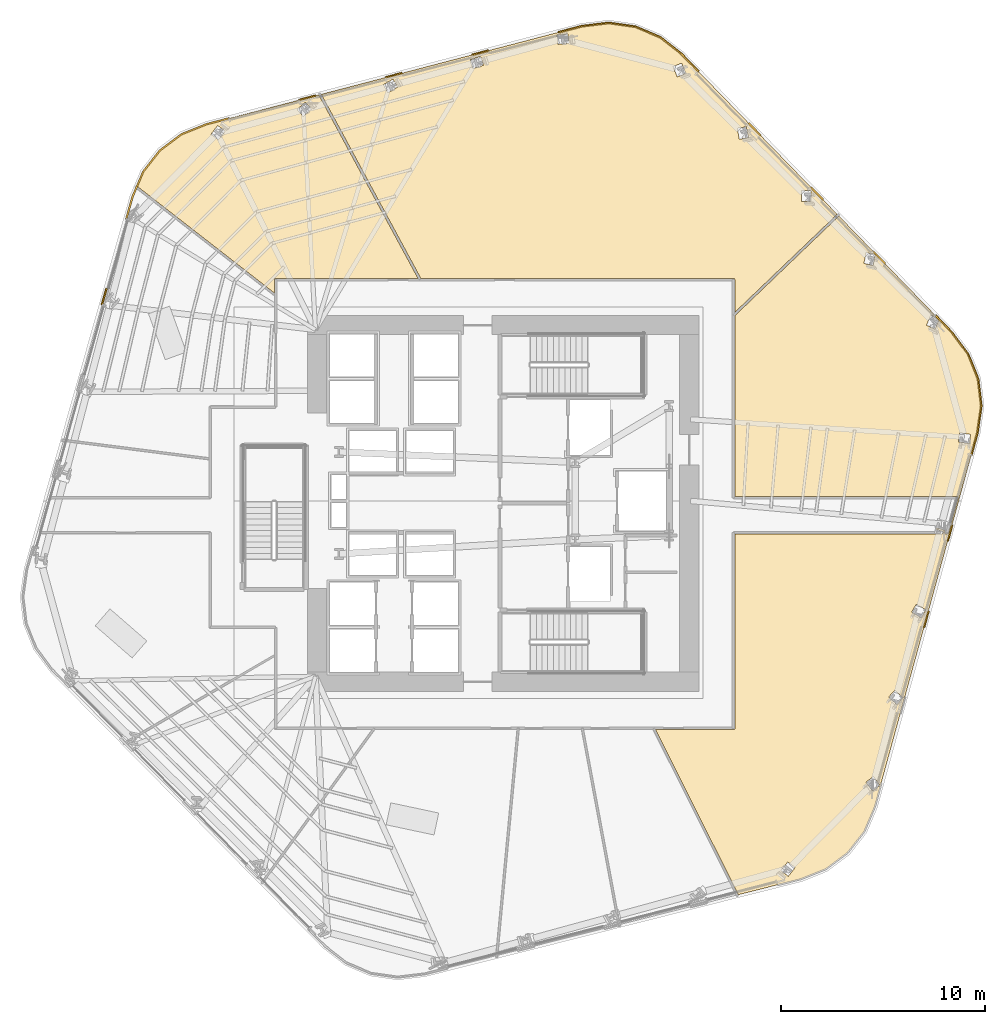
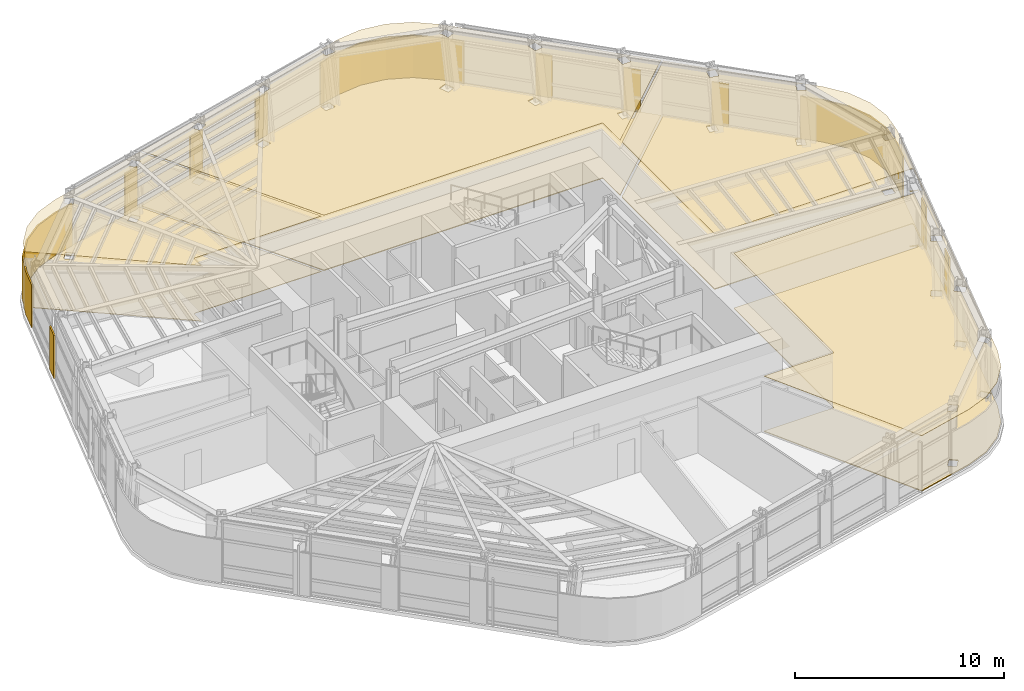
# One storey, part 16 of 17: 18 coverings.
"""IFC4 building model written with IfcOpenShell, lengths in metres."""

from ifc_helpers import new_model, si_unit, direction, frame, origin, place, context, subcontext, project, spatial, polyline, outline, extrude, material, layer, layer_set, type_object, element, save


model = new_model("IFC4")

# Units and contexts
model_context = context("Model", 3, precision=1e-05, world=origin(), true_north=direction((0.0, 1.0)))
body_context = subcontext(model_context, "Body", "Model", "MODEL_VIEW")
ifc_project = project(units=[si_unit("LENGTHUNIT", "METRE"), si_unit("AREAUNIT", "SQUARE_METRE"), si_unit("VOLUMEUNIT", "CUBIC_METRE"), si_unit("PLANEANGLEUNIT", "RADIAN"), si_unit("MASSUNIT", "GRAM", prefix="KILO")], contexts=[model_context])

# Site, building, storey
site_placement = place(None, origin())
site = spatial("IfcSite", under=ifc_project, at=site_placement, CompositionType="ELEMENT")
building_placement = place(site_placement, origin())
building = spatial("IfcBuilding", under=site, at=building_placement, Name="Valkerne Bourse Tower", CompositionType="ELEMENT")
storey_placement = place(building_placement, frame((0.0, 0.0, 85.800048828125)))
storey = spatial("IfcBuildingStorey", under=building, at=storey_placement, Name="L21", CompositionType="ELEMENT", Elevation=85.800048828125)

# Coverings
ifc_material_1 = material(Name="Mineral Fiber Acoustic Ceiling Tile", Category="acoustic")
ifc_layer_1 = layer(ifc_material_1, 0.02490234375)
ifc_layer_set_1 = layer_set([ifc_layer_1], Name="Mineral Fiber Acoustic Ceiling Tile")
covering_type_1 = type_object("IfcCoveringType", Name="COV-CEIL-ACT", PredefinedType="CEILING", material=ifc_layer_set_1)
covering_1_placement = place(storey_placement, frame((0.0, 0.0, 3.22998046875)))
element("IfcCovering", 1, at=covering_1_placement, inside=storey, type_object=covering_type_1, Name="L21 Suspended Ceiling 06", PredefinedType="CEILING", context=body_context, shape_type="SweptSolid", body=[
    extrude(outline(polyline([(31.028076171875, 44.9755859375), (32.261474609375, 45.471435546875), (37.768798828125, 46.910400390625), (42.6298828125, 37.9189453125), (35.639892578125, 37.91845703125), (35.59912109375, 37.89697265625), (35.5810546875, 37.8544921875), (35.5810546875, 37.2001953125), (28.8544921875, 42.431640625), (29.15869140625, 43.14501953125), (29.972900390625, 44.183349609375), (31.028076171875, 44.9755859375)]), holes=[polyline([(33.1650390625, 45.131591796875), (32.811767578125, 45.41015625), (32.80908203125, 45.408203125), (32.477783203125, 44.98583984375), (32.831298828125, 44.70751953125), (32.833984375, 44.70947265625), (33.1650390625, 45.131591796875)]), polyline([(36.998046875, 45.8603515625), (37.403076171875, 46.212890625), (37.1083984375, 46.552734375), (37.10546875, 46.55126953125), (36.700439453125, 46.19873046875), (36.995361328125, 45.85888671875), (36.998046875, 45.8603515625)])]), origin(), (0.0, 0.0, 1.0), 0.02490234375),
])
covering_2_placement = place(storey_placement, frame((0.0, 0.0, 3.22998046875)))
element("IfcCovering", 2, at=covering_2_placement, inside=storey, type_object=covering_type_1, Name="L21 Suspended Ceiling 10", PredefinedType="CEILING", context=body_context, shape_type="SweptSolid", body=[
    extrude(outline(polyline([(53.292724609375, 50.254150390625), (54.506591796875, 49.736572265625), (55.552001953125, 48.91650390625), (63.1875, 41.05322265625), (58.1689453125, 36.24658203125), (58.1689453125, 37.853515625), (58.151611328125, 37.89599609375), (58.110107421875, 37.91845703125), (42.763916015625, 37.9189453125), (37.88623046875, 46.941162109375), (50.667236328125, 50.280517578125), (51.986328125, 50.440185546875), (53.292724609375, 50.254150390625)]), holes=[polyline([(41.627197265625, 47.2880859375), (41.40771484375, 47.680908203125), (41.40478515625, 47.679931640625), (40.9365234375, 47.417236328125), (41.156005859375, 47.0244140625), (41.158935546875, 47.025146484375), (41.627197265625, 47.2880859375)]), polyline([(45.837158203125, 48.365966796875), (45.702392578125, 48.795166015625), (45.69921875, 48.794921875), (45.187255859375, 48.633056640625), (45.322021484375, 48.203857421875), (45.3251953125, 48.2041015625), (45.837158203125, 48.365966796875)]), polyline([(49.984619140625, 49.901123046875), (49.981201171875, 49.901611328125), (49.4482421875, 49.838623046875), (49.500244140625, 49.3916015625), (49.50341796875, 49.391357421875), (50.036376953125, 49.4541015625), (49.984619140625, 49.901123046875)]), polyline([(61.896484375, 42.220458984375), (61.894287109375, 42.222412109375), (61.4453125, 42.2275390625), (61.437255859375, 41.689697265625), (61.439453125, 41.6875), (61.888427734375, 41.6826171875), (61.896484375, 42.220458984375)]), polyline([(58.7294921875, 45.3515625), (58.726806640625, 45.353271484375), (58.2861328125, 45.266845703125), (58.3876953125, 44.738525390625), (58.390380859375, 44.73681640625), (58.830810546875, 44.8232421875), (58.7294921875, 45.3515625)]), polyline([(55.75927734375, 47.968505859375), (55.560546875, 48.46826171875), (55.557373046875, 48.469482421875), (55.14111328125, 48.3017578125), (55.33984375, 47.802001953125), (55.343017578125, 47.80078125), (55.75927734375, 47.968505859375)])]), origin(), (0.0, 0.0, 1.0), 0.02490234375),
])
covering_3_placement = place(storey_placement, frame((0.0, 0.0, 3.22998046875)))
element("IfcCovering", 3, at=covering_3_placement, inside=storey, type_object=covering_type_1, Name="L21 Suspended Ceiling 11", PredefinedType="CEILING", context=body_context, shape_type="SweptSolid", body=[
    extrude(outline(polyline([(62.63720703125, 8.957763671875), (61.404296875, 8.462158203125), (58.33642578125, 7.688232421875), (54.283935546875, 15.781005859375), (58.1005859375, 15.781005859375), (58.140869140625, 15.794189453125), (58.1650390625, 15.826416015625), (58.1689453125, 25.381103515625), (68.35546875, 25.385009765625), (68.386962890625, 25.40869140625), (68.400146484375, 25.441162109375), (68.393798828125, 25.47998046875), (68.37109375, 25.506591796875), (68.03271484375, 25.60498046875), (68.055419921875, 25.68701171875), (68.484619140625, 25.539794921875), (68.464599609375, 25.468017578125), (68.463134765625, 25.43798828125), (68.484619140625, 25.398681640625), (68.52685546875, 25.381103515625), (68.60205078125, 25.38525390625), (68.62939453125, 25.404052734375), (68.64306640625, 25.427490234375), (69.112060546875, 27.135009765625), (69.10400390625, 27.18603515625), (69.06103515625, 27.21728515625), (58.1689453125, 27.218994140625), (58.1689453125, 36.083251953125), (63.26953125, 40.968505859375), (68.129638671875, 35.96337890625), (67.78369140625, 36.11181640625), (67.569580078125, 35.618408203125), (67.57080078125, 35.615478515625), (67.9833984375, 35.4384765625), (68.18603515625, 35.9052734375), (68.80419921875, 35.2685546875), (69.6025390625, 34.205322265625), (70.0947265625, 32.981201171875), (70.25341796875, 31.6708984375), (70.06591796875, 30.35498046875), (65.02783203125, 12.010498046875), (64.506591796875, 10.788330078125), (63.6923828125, 9.75), (62.63720703125, 8.957763671875)]), holes=[polyline([(60.790771484375, 8.591796875), (61.1220703125, 9.01416015625), (60.768798828125, 9.29248046875), (60.76611328125, 9.29052734375), (60.434814453125, 8.868408203125), (60.7880859375, 8.58984375), (60.790771484375, 8.591796875)]), polyline([(65.283203125, 13.0478515625), (64.960693359375, 13.4794921875), (64.601318359375, 13.212158203125), (64.59912109375, 13.20947265625), (64.92138671875, 12.77783203125), (65.28125, 13.045166015625), (65.283203125, 13.0478515625)]), polyline([(66.4140625, 17.350341796875), (66.0166015625, 17.7138671875), (65.71337890625, 17.383544921875), (65.7119140625, 17.380615234375), (66.109619140625, 17.01708984375), (66.41259765625, 17.347412109375), (66.4140625, 17.350341796875)]), polyline([(67.53173828125, 21.658935546875), (67.068603515625, 21.93408203125), (66.8388671875, 21.548828125), (66.838134765625, 21.5458984375), (67.30126953125, 21.27099609375), (67.531005859375, 21.656005859375), (67.53173828125, 21.658935546875)]), polyline([(69.7275390625, 30.25830078125), (69.727294921875, 30.26171875), (69.19384765625, 30.337646484375), (69.129638671875, 29.89404296875), (69.130126953125, 29.890869140625), (69.663330078125, 29.81494140625), (69.7275390625, 30.25830078125)]), polyline([(65.05419921875, 39.078125), (65.052490234375, 39.080810546875), (64.61376953125, 39.177001953125), (64.496337890625, 38.652099609375), (64.498046875, 38.6494140625), (64.936767578125, 38.55322265625), (65.05419921875, 39.078125)])]), origin(), (0.0, 0.0, 1.0), 0.02490234375),
])
ifc_material_2 = material(Name="Bronze Anodised Aluminium AA 6063-T6", Category="aluminium")
ifc_layer_2 = layer(ifc_material_2, 0.06005859375)
ifc_layer_set_2 = layer_set([ifc_layer_2], Name="Bronze Anodised Aluminium AA 6063-T6")
covering_type_2 = type_object("IfcCoveringType", Name="COV-CRN-ALUM", PredefinedType="CLADDING", material=ifc_layer_set_2)
covering_4_placement = place(storey_placement, origin())
element("IfcCovering", 4, at=covering_4_placement, inside=storey, type_object=covering_type_2, Name="L21 Wind-Shaped Corner Aluminium Cladding 12", PredefinedType="CLADDING", context=body_context, shape_type="SweptSolid", body=[
    extrude(outline(polyline([(27.315673828125, 37.4267578125), (27.392578125, 37.4052734375), (27.163330078125, 36.59716796875), (27.08642578125, 36.61865234375), (27.315673828125, 37.4267578125)])), origin(), (0.0, 0.0, 1.0), 2.5),
])
covering_5_placement = place(storey_placement, origin())
element("IfcCovering", 5, at=covering_5_placement, inside=storey, type_object=covering_type_2, Name="L21 Wind-Shaped Corner Aluminium Cladding 13", PredefinedType="CLADDING", context=body_context, shape_type="SweptSolid", body=[
    extrude(outline(polyline([(28.595703125, 41.936767578125), (29.120361328125, 43.16748046875), (29.94189453125, 44.215087890625), (31.00634765625, 45.01416015625), (32.247802734375, 45.51318359375), (33.355712890625, 45.802734375), (33.37548828125, 45.72509765625), (32.272705078125, 45.43701171875), (31.0458984375, 44.94384765625), (29.998291015625, 44.157470703125), (29.18994140625, 43.12646484375), (28.671142578125, 41.91015625), (28.360107421875, 40.813720703125), (28.282958984375, 40.835205078125), (28.595703125, 41.936767578125)])), origin(), (0.0, 0.0, 1.0), 2.5),
])
covering_6_placement = place(storey_placement, origin())
element("IfcCovering", 6, at=covering_6_placement, inside=storey, type_object=covering_type_2, Name="L21 Wind-Shaped Corner Aluminium Cladding 14", PredefinedType="CLADDING", context=body_context, shape_type="SweptSolid", body=[
    extrude(outline(polyline([(37.59619140625, 46.910888671875), (37.6162109375, 46.833251953125), (36.803466796875, 46.620849609375), (36.783447265625, 46.698486328125), (37.59619140625, 46.910888671875)])), origin(), (0.0, 0.0, 1.0), 2.5),
])
covering_7_placement = place(storey_placement, origin())
element("IfcCovering", 7, at=covering_7_placement, inside=storey, type_object=covering_type_2, Name="L21 Wind-Shaped Corner Aluminium Cladding 15", PredefinedType="CLADDING", context=body_context, shape_type="SweptSolid", body=[
    extrude(outline(polyline([(41.8369140625, 48.018798828125), (41.85693359375, 47.94140625), (41.044189453125, 47.72900390625), (41.024169921875, 47.806396484375), (41.8369140625, 48.018798828125)])), origin(), (0.0, 0.0, 1.0), 2.5),
])
covering_8_placement = place(storey_placement, origin())
element("IfcCovering", 8, at=covering_8_placement, inside=storey, type_object=covering_type_2, Name="L21 Wind-Shaped Corner Aluminium Cladding 16", PredefinedType="CLADDING", context=body_context, shape_type="SweptSolid", body=[
    extrude(outline(polyline([(46.07763671875, 49.126708984375), (46.097412109375, 49.04931640625), (45.28466796875, 48.8369140625), (45.264892578125, 48.914306640625), (46.07763671875, 49.126708984375)])), origin(), (0.0, 0.0, 1.0), 2.5),
])
covering_9_placement = place(storey_placement, origin())
element("IfcCovering", 9, at=covering_9_placement, inside=storey, type_object=covering_type_2, Name="L21 Wind-Shaped Corner Aluminium Cladding 17", PredefinedType="CLADDING", context=body_context, shape_type="SweptSolid", body=[
    extrude(outline(polyline([(50.658935546875, 50.32373046875), (51.98681640625, 50.484619140625), (53.3046875, 50.297119140625), (54.529052734375, 49.774658203125), (55.58154296875, 48.949462890625), (56.412109375, 48.09423828125), (56.354736328125, 48.0380859375), (55.52783203125, 48.889892578125), (54.488037109375, 49.705078125), (53.282958984375, 50.21923828125), (51.98583984375, 50.40380859375), (50.673828125, 50.2451171875), (49.525390625, 49.945068359375), (49.505615234375, 50.0224609375), (50.658935546875, 50.32373046875)])), origin(), (0.0, 0.0, 1.0), 2.5),
])
covering_10_placement = place(storey_placement, origin())
element("IfcCovering", 10, at=covering_10_placement, inside=storey, type_object=covering_type_2, Name="L21 Wind-Shaped Corner Aluminium Cladding 18", PredefinedType="CLADDING", context=body_context, shape_type="SweptSolid", body=[
    extrude(outline(polyline([(59.46533203125, 44.949462890625), (59.408203125, 44.8935546875), (58.822998046875, 45.49609375), (58.880126953125, 45.55224609375), (59.46533203125, 44.949462890625)])), origin(), (0.0, 0.0, 1.0), 2.5),
])
covering_11_placement = place(storey_placement, origin())
element("IfcCovering", 11, at=covering_11_placement, inside=storey, type_object=covering_type_2, Name="L21 Wind-Shaped Corner Aluminium Cladding 19", PredefinedType="CLADDING", context=body_context, shape_type="SweptSolid", body=[
    extrude(outline(polyline([(62.518798828125, 41.804931640625), (62.461669921875, 41.7490234375), (61.87646484375, 42.351806640625), (61.93359375, 42.40771484375), (62.518798828125, 41.804931640625)])), origin(), (0.0, 0.0, 1.0), 2.5),
])
covering_12_placement = place(storey_placement, origin())
element("IfcCovering", 12, at=covering_12_placement, inside=storey, type_object=covering_type_2, Name="L21 Wind-Shaped Corner Aluminium Cladding 20", PredefinedType="CLADDING", context=body_context, shape_type="SweptSolid", body=[
    extrude(outline(polyline([(65.572021484375, 38.660400390625), (65.514892578125, 38.6044921875), (64.9296875, 39.207275390625), (64.98681640625, 39.26318359375), (65.572021484375, 38.660400390625)])), origin(), (0.0, 0.0, 1.0), 2.5),
])
covering_13_placement = place(storey_placement, origin())
element("IfcCovering", 13, at=covering_13_placement, inside=storey, type_object=covering_type_2, Name="L21 Wind-Shaped Corner Aluminium Cladding 21", PredefinedType="CLADDING", context=body_context, shape_type="SweptSolid", body=[
    extrude(outline(polyline([(68.837890625, 35.297119140625), (69.64111328125, 34.227294921875), (70.1376953125, 32.9921875), (70.297607421875, 31.670654296875), (70.109130859375, 30.345947265625), (69.805908203125, 29.24169921875), (69.728759765625, 29.263427734375), (70.030517578125, 30.3623046875), (70.217041015625, 31.67138671875), (70.0595703125, 32.971923828125), (69.57080078125, 34.1875), (68.77685546875, 35.2451171875), (67.983154296875, 36.062744140625), (68.040283203125, 36.11865234375), (68.837890625, 35.297119140625)])), origin(), (0.0, 0.0, 1.0), 2.5),
])
covering_14_placement = place(storey_placement, origin())
element("IfcCovering", 14, at=covering_14_placement, inside=storey, type_object=covering_type_2, Name="L21 Wind-Shaped Corner Aluminium Cladding 22", PredefinedType="CLADDING", context=body_context, shape_type="SweptSolid", body=[
    extrude(outline(polyline([(68.64501953125, 25.01513671875), (68.568115234375, 25.036865234375), (68.79052734375, 25.8466796875), (68.86767578125, 25.8251953125), (68.64501953125, 25.01513671875)])), origin(), (0.0, 0.0, 1.0), 2.5),
])
covering_15_placement = place(storey_placement, origin())
element("IfcCovering", 15, at=covering_15_placement, inside=storey, type_object=covering_type_2, Name="L21 Wind-Shaped Corner Aluminium Cladding 23", PredefinedType="CLADDING", context=body_context, shape_type="SweptSolid", body=[
    extrude(outline(polyline([(67.484375, 20.788818359375), (67.4072265625, 20.810302734375), (67.629638671875, 21.620361328125), (67.706787109375, 21.598876953125), (67.484375, 20.788818359375)])), origin(), (0.0, 0.0, 1.0), 2.5),
])
ifc_material_3 = material(Name="Galvanised Painted Steel", Category="steel")
ifc_layer_3 = layer(ifc_material_3, 0.044921875)
ifc_layer_set_3 = layer_set([ifc_layer_3], Name="Galvanised Painted Steel")
covering_type_3 = type_object("IfcCoveringType", Name="COV-FLR-RAF", PredefinedType="FLOORING", material=ifc_layer_set_3)
covering_16_placement = place(storey_placement, origin())
element("IfcCovering", 16, at=covering_16_placement, inside=storey, type_object=covering_type_3, Name="L21 Floor Finish 10", PredefinedType="FLOORING", context=body_context, shape_type="SweptSolid", body=[
    extrude(outline(polyline([(53.292724609375, 50.254150390625), (54.506591796875, 49.736572265625), (55.552001953125, 48.91650390625), (63.1875, 41.05322265625), (58.1689453125, 36.24658203125), (58.1689453125, 37.853515625), (58.151611328125, 37.89599609375), (58.110107421875, 37.91845703125), (42.763916015625, 37.9189453125), (37.88623046875, 46.941162109375), (50.667236328125, 50.280517578125), (51.986328125, 50.440185546875), (53.292724609375, 50.254150390625)]), holes=[polyline([(41.627197265625, 47.2880859375), (41.40771484375, 47.680908203125), (41.40478515625, 47.679931640625), (40.9365234375, 47.417236328125), (41.156005859375, 47.0244140625), (41.158935546875, 47.025146484375), (41.627197265625, 47.2880859375)]), polyline([(45.837158203125, 48.365966796875), (45.702392578125, 48.795166015625), (45.69921875, 48.794921875), (45.187255859375, 48.633056640625), (45.322021484375, 48.203857421875), (45.3251953125, 48.2041015625), (45.837158203125, 48.365966796875)]), polyline([(49.984619140625, 49.901123046875), (49.981201171875, 49.901611328125), (49.4482421875, 49.838623046875), (49.500244140625, 49.3916015625), (49.50341796875, 49.391357421875), (50.036376953125, 49.4541015625), (49.984619140625, 49.901123046875)]), polyline([(61.896484375, 42.220458984375), (61.894287109375, 42.222412109375), (61.4453125, 42.2275390625), (61.437255859375, 41.689697265625), (61.439453125, 41.6875), (61.888427734375, 41.6826171875), (61.896484375, 42.220458984375)]), polyline([(58.7294921875, 45.3515625), (58.726806640625, 45.353271484375), (58.2861328125, 45.266845703125), (58.3876953125, 44.738525390625), (58.390380859375, 44.73681640625), (58.830810546875, 44.8232421875), (58.7294921875, 45.3515625)]), polyline([(55.75927734375, 47.968505859375), (55.560546875, 48.46826171875), (55.557373046875, 48.469482421875), (55.14111328125, 48.3017578125), (55.33984375, 47.802001953125), (55.343017578125, 47.80078125), (55.75927734375, 47.968505859375)])]), origin(), (0.0, 0.0, 1.0), 0.044921875),
])
covering_17_placement = place(storey_placement, origin())
element("IfcCovering", 17, at=covering_17_placement, inside=storey, type_object=covering_type_3, Name="L21 Floor Finish 11", PredefinedType="FLOORING", context=body_context, shape_type="SweptSolid", body=[
    extrude(outline(polyline([(62.63720703125, 8.957763671875), (61.404296875, 8.462158203125), (58.33642578125, 7.688232421875), (54.283935546875, 15.781005859375), (58.1005859375, 15.781005859375), (58.140869140625, 15.794189453125), (58.1650390625, 15.826416015625), (58.1689453125, 25.381103515625), (68.35546875, 25.385009765625), (68.386962890625, 25.40869140625), (68.400146484375, 25.441162109375), (68.393798828125, 25.47998046875), (68.37109375, 25.506591796875), (68.03271484375, 25.60498046875), (68.055419921875, 25.68701171875), (68.484619140625, 25.539794921875), (68.464599609375, 25.468017578125), (68.463134765625, 25.43798828125), (68.484619140625, 25.398681640625), (68.52685546875, 25.381103515625), (68.60205078125, 25.38525390625), (68.62939453125, 25.404052734375), (68.64306640625, 25.427490234375), (69.112060546875, 27.135009765625), (69.10400390625, 27.18603515625), (69.06103515625, 27.21728515625), (58.1689453125, 27.218994140625), (58.1689453125, 36.083251953125), (63.26953125, 40.968505859375), (68.129638671875, 35.96337890625), (67.78369140625, 36.11181640625), (67.569580078125, 35.618408203125), (67.57080078125, 35.615478515625), (67.9833984375, 35.4384765625), (68.18603515625, 35.9052734375), (68.80419921875, 35.2685546875), (69.6025390625, 34.205322265625), (70.0947265625, 32.981201171875), (70.25341796875, 31.6708984375), (70.06591796875, 30.35498046875), (65.02783203125, 12.010498046875), (64.506591796875, 10.788330078125), (63.6923828125, 9.75), (62.63720703125, 8.957763671875)]), holes=[polyline([(60.790771484375, 8.591796875), (61.1220703125, 9.01416015625), (60.768798828125, 9.29248046875), (60.76611328125, 9.29052734375), (60.434814453125, 8.868408203125), (60.7880859375, 8.58984375), (60.790771484375, 8.591796875)]), polyline([(65.283203125, 13.0478515625), (64.960693359375, 13.4794921875), (64.601318359375, 13.212158203125), (64.59912109375, 13.20947265625), (64.92138671875, 12.77783203125), (65.28125, 13.045166015625), (65.283203125, 13.0478515625)]), polyline([(66.4140625, 17.350341796875), (66.0166015625, 17.7138671875), (65.71337890625, 17.383544921875), (65.7119140625, 17.380615234375), (66.109619140625, 17.01708984375), (66.41259765625, 17.347412109375), (66.4140625, 17.350341796875)]), polyline([(67.53173828125, 21.658935546875), (67.068603515625, 21.93408203125), (66.8388671875, 21.548828125), (66.838134765625, 21.5458984375), (67.30126953125, 21.27099609375), (67.531005859375, 21.656005859375), (67.53173828125, 21.658935546875)]), polyline([(69.7275390625, 30.25830078125), (69.727294921875, 30.26171875), (69.19384765625, 30.337646484375), (69.129638671875, 29.89404296875), (69.130126953125, 29.890869140625), (69.663330078125, 29.81494140625), (69.7275390625, 30.25830078125)]), polyline([(65.05419921875, 39.078125), (65.052490234375, 39.080810546875), (64.61376953125, 39.177001953125), (64.496337890625, 38.652099609375), (64.498046875, 38.6494140625), (64.936767578125, 38.55322265625), (65.05419921875, 39.078125)])]), origin(), (0.0, 0.0, 1.0), 0.044921875),
])
ifc_material_4 = material(Name="Polished Granite Stone", Category="masonry")
ifc_layer_4 = layer(ifc_material_4, 0.030029296875)
ifc_layer_set_4 = layer_set([ifc_layer_4], Name="Polished Granite Stone")
covering_type_4 = type_object("IfcCoveringType", Name="COV-FLR-TERRAZZO", PredefinedType="FLOORING", material=ifc_layer_set_4)
covering_18_placement = place(storey_placement, origin())
element("IfcCovering", 18, at=covering_18_placement, inside=storey, type_object=covering_type_4, Name="L21 Floor Finish 06", PredefinedType="FLOORING", context=body_context, shape_type="SweptSolid", body=[
    extrude(outline(polyline([(31.028076171875, 44.9755859375), (32.261474609375, 45.471435546875), (37.768798828125, 46.910400390625), (42.6298828125, 37.9189453125), (35.639892578125, 37.91845703125), (35.59912109375, 37.89697265625), (35.5810546875, 37.8544921875), (35.5810546875, 37.2001953125), (28.8544921875, 42.431640625), (29.15869140625, 43.14501953125), (29.972900390625, 44.183349609375), (31.028076171875, 44.9755859375)]), holes=[polyline([(33.1650390625, 45.131591796875), (32.811767578125, 45.41015625), (32.80908203125, 45.408203125), (32.477783203125, 44.98583984375), (32.831298828125, 44.70751953125), (32.833984375, 44.70947265625), (33.1650390625, 45.131591796875)]), polyline([(36.998046875, 45.8603515625), (37.403076171875, 46.212890625), (37.1083984375, 46.552734375), (37.10546875, 46.55126953125), (36.700439453125, 46.19873046875), (36.995361328125, 45.85888671875), (36.998046875, 45.8603515625)])]), origin(), (0.0, 0.0, 1.0), 0.030029296875),
])

save(model, "model.ifc")
